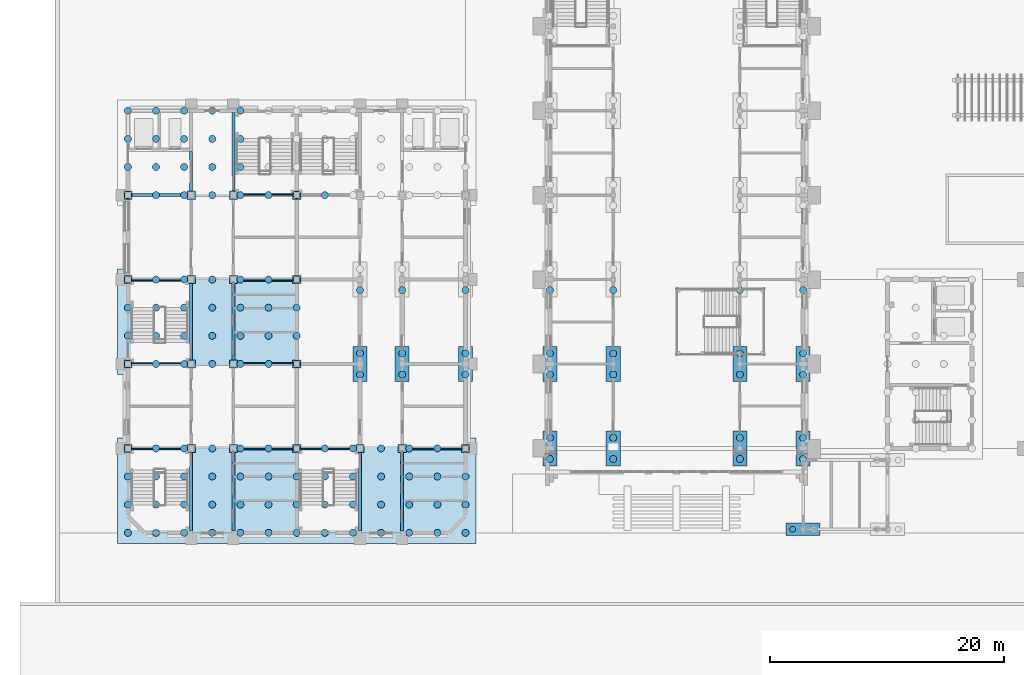
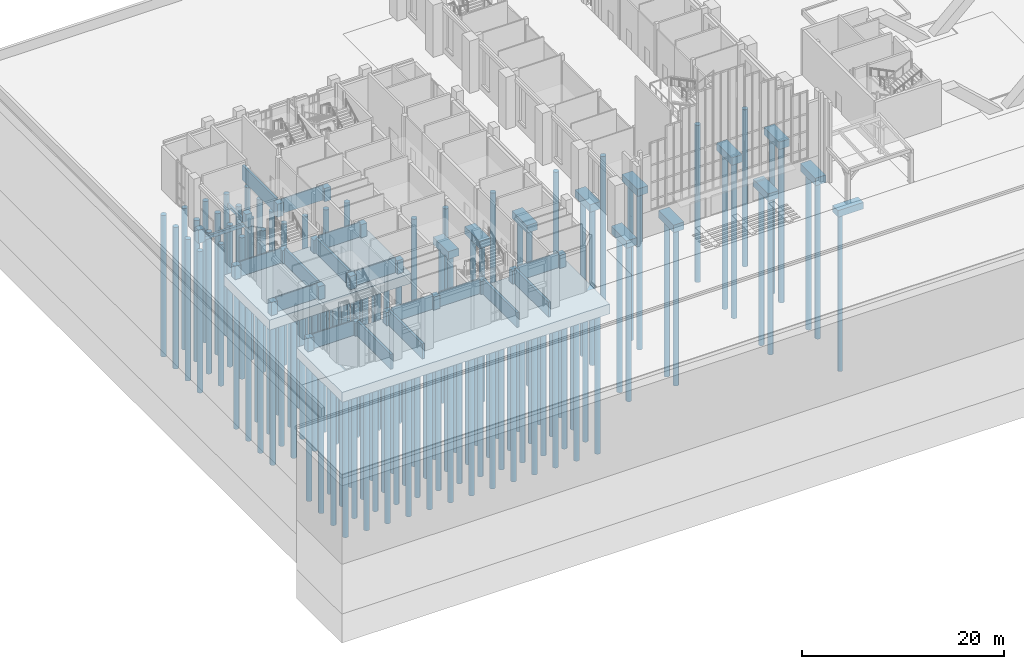
# One storey, part 1 of 84: 133 piles, 51 footings.
"""IFC4 building model written with IfcOpenShell, lengths in metres."""

from ifc_helpers import new_model, si_unit, direction, frame, origin, origin_2d, place, context, subcontext, project, spatial, polyline, rectangle, circle, outline, extrude, material, material_profile, profile_set, type_object, element, save


model = new_model("IFC4")

# Units and contexts
model_context = context("Model", 3, precision=1e-05, world=origin(), true_north=direction((0.0, 1.0)))
body_context = subcontext(model_context, "Body", "Model", "MODEL_VIEW")
ifc_project = project(units=[si_unit("LENGTHUNIT", "METRE"), si_unit("AREAUNIT", "SQUARE_METRE"), si_unit("VOLUMEUNIT", "CUBIC_METRE"), si_unit("PLANEANGLEUNIT", "RADIAN"), si_unit("MASSUNIT", "GRAM", prefix="KILO")], contexts=[model_context])

# Site, building, storey
site_placement = place(None, origin())
site = spatial("IfcSite", under=ifc_project, at=site_placement, CompositionType="ELEMENT")
building_placement = place(site_placement, origin())
building = spatial("IfcBuilding", under=site, at=building_placement, Name="Mazhai Court Health Centre", CompositionType="ELEMENT")
storey_placement = place(building_placement, origin())
storey = spatial("IfcBuildingStorey", under=building, at=storey_placement, Name="L00", CompositionType="ELEMENT", Elevation=0.0)

# Piles
ifc_material_1 = material(Name="Concrete M35", Category="concrete")
ifc_material_profile_1 = material_profile(ifc_material_1, circle(Radius=0.25, at=origin_2d()), Name="RC PILE D500")
ifc_profile_set_1 = profile_set([ifc_material_profile_1], Name="Concrete M35")
pile_type_1 = type_object("IfcPileType", Name="BORED PILE D500 M35", PredefinedType="BORED", material=ifc_profile_set_1)
pile_placement = place(storey_placement, frame((62.89990234375, 6.5, -0.89990234375), z_axis=(0.0, 0.0, -1.0), x_axis=(1.0, 0.0, 0.0)))
element("IfcPile", 1, at=pile_placement, inside=storey, type_object=pile_type_1, Name="pile-cap-AR-01-01", PredefinedType="BORED", context=body_context, shape_type="SweptSolid", body=[
    extrude(circle(Radius=0.25, at=origin_2d()), origin(), (0.0, 0.0, 1.0), 19.10009765625),
])
ifc_material_2 = material(Name="Concrete M35", Category="concrete")
ifc_material_profile_2 = material_profile(ifc_material_2, circle(Radius=0.300048828125, at=origin_2d()), Name="RC PILE D600")
ifc_profile_set_2 = profile_set([ifc_material_profile_2], Name="Concrete M35")
pile_type_2 = type_object("IfcPileType", Name="BORED PILE D600 M35", PredefinedType="BORED", material=ifc_profile_set_2)
for number, where, z_axis, x_axis, name in (
    (2, (6.199951171875, 6.199951171875, -2.89990234375), (0.0, 0.0, -1.0), (1.0, 0.0, 0.0), "pile-RAFT-1-01"),
    (3, (6.199951171875, 8.60009765625, -2.89990234375), (0.0, 0.0, -1.0), (1.0, 0.0, 0.0), "pile-RAFT-1-02"),
    (4, (6.199951171875, 11.0, -2.89990234375), (0.0, 0.0, -1.0), (1.0, 0.0, 0.0), "pile-RAFT-1-03"),
    (5, (6.199951171875, 13.39990234375, -2.89990234375), (0.0, 0.0, -1.0), (1.0, 0.0, 0.0), "pile-RAFT-1-04"),
    (6, (8.60009765625, 6.199951171875, -2.89990234375), (0.0, 0.0, -1.0), (1.0, 0.0, 0.0), "pile-RAFT-1-05"),
    (7, (8.60009765625, 8.60009765625, -2.89990234375), (0.0, 0.0, -1.0), (1.0, 0.0, 0.0), "pile-RAFT-1-06"),
    (8, (8.60009765625, 11.0, -2.89990234375), (0.0, 0.0, -1.0), (1.0, 0.0, 0.0), "pile-RAFT-1-07"),
    (9, (8.60009765625, 13.39990234375, -2.89990234375), (0.0, 0.0, -1.0), (1.0, 0.0, 0.0), "pile-RAFT-1-08"),
    (10, (11.0, 6.199951171875, -2.89990234375), (0.0, 0.0, -1.0), (1.0, 0.0, 0.0), "pile-RAFT-1-09"),
    (11, (11.0, 8.60009765625, -2.89990234375), (0.0, 0.0, -1.0), (1.0, 0.0, 0.0), "pile-RAFT-1-10"),
    (12, (11.0, 11.0, -2.89990234375), (0.0, 0.0, -1.0), (1.0, 0.0, 0.0), "pile-RAFT-1-11"),
    (13, (11.0, 13.39990234375, -2.89990234375), (0.0, 0.0, -1.0), (1.0, 0.0, 0.0), "pile-RAFT-1-12"),
    (14, (13.39990234375, 6.199951171875, -2.89990234375), (0.0, 0.0, -1.0), (1.0, 0.0, 0.0), "pile-RAFT-1-13"),
    (15, (13.39990234375, 8.60009765625, -2.89990234375), (0.0, 0.0, -1.0), (1.0, 0.0, 0.0), "pile-RAFT-1-14"),
    (16, (13.39990234375, 11.0, -2.89990234375), (0.0, 0.0, -1.0), (1.0, 0.0, 0.0), "pile-RAFT-1-15"),
    (17, (13.39990234375, 13.39990234375, -2.89990234375), (0.0, 0.0, -1.0), (1.0, 0.0, 0.0), "pile-RAFT-1-16"),
    (18, (15.800048828125, 6.199951171875, -2.89990234375), (0.0, 0.0, -1.0), (1.0, 0.0, 0.0), "pile-RAFT-1-17"),
    (19, (15.800048828125, 8.60009765625, -2.89990234375), (0.0, 0.0, -1.0), (1.0, 0.0, 0.0), "pile-RAFT-1-18"),
    (20, (15.800048828125, 11.0, -2.89990234375), (0.0, 0.0, -1.0), (1.0, 0.0, 0.0), "pile-RAFT-1-19"),
    (21, (15.800048828125, 13.39990234375, -2.89990234375), (0.0, 0.0, -1.0), (1.0, 0.0, 0.0), "pile-RAFT-1-20"),
    (22, (18.199951171875, 6.199951171875, -2.89990234375), (0.0, 0.0, -1.0), (1.0, 0.0, 0.0), "pile-RAFT-1-21"),
    (23, (18.199951171875, 8.60009765625, -2.89990234375), (0.0, 0.0, -1.0), (1.0, 0.0, 0.0), "pile-RAFT-1-22"),
    (24, (18.199951171875, 11.0, -2.89990234375), (0.0, 0.0, -1.0), (1.0, 0.0, 0.0), "pile-RAFT-1-23"),
    (25, (18.199951171875, 13.39990234375, -2.89990234375), (0.0, 0.0, -1.0), (1.0, 0.0, 0.0), "pile-RAFT-1-24"),
    (26, (20.60009765625, 6.199951171875, -2.89990234375), (0.0, 0.0, -1.0), (1.0, 0.0, 0.0), "pile-RAFT-1-25"),
    (27, (20.60009765625, 8.60009765625, -2.89990234375), (0.0, 0.0, -1.0), (1.0, 0.0, 0.0), "pile-RAFT-1-26"),
    (28, (20.60009765625, 11.0, -2.89990234375), (0.0, 0.0, -1.0), (1.0, 0.0, 0.0), "pile-RAFT-1-27"),
    (29, (20.60009765625, 13.39990234375, -2.89990234375), (0.0, 0.0, -1.0), (1.0, 0.0, 0.0), "pile-RAFT-1-28"),
    (30, (23.0, 6.199951171875, -2.89990234375), (0.0, 0.0, -1.0), (1.0, 0.0, 0.0), "pile-RAFT-1-29"),
    (31, (23.0, 8.60009765625, -2.89990234375), (0.0, 0.0, -1.0), (1.0, 0.0, 0.0), "pile-RAFT-1-30"),
    (32, (23.0, 11.0, -2.89990234375), (0.0, 0.0, -1.0), (1.0, 0.0, 0.0), "pile-RAFT-1-31"),
    (33, (23.0, 13.39990234375, -2.89990234375), (0.0, 0.0, -1.0), (1.0, 0.0, 0.0), "pile-RAFT-1-32"),
    (34, (25.39990234375, 6.199951171875, -2.89990234375), (0.0, 0.0, -1.0), (1.0, 0.0, 0.0), "pile-RAFT-1-33"),
    (35, (25.39990234375, 8.60009765625, -2.89990234375), (0.0, 0.0, -1.0), (1.0, 0.0, 0.0), "pile-RAFT-1-34"),
    (36, (25.39990234375, 11.0, -2.89990234375), (0.0, 0.0, -1.0), (1.0, 0.0, 0.0), "pile-RAFT-1-35"),
    (37, (25.39990234375, 13.39990234375, -2.89990234375), (0.0, 0.0, -1.0), (1.0, 0.0, 0.0), "pile-RAFT-1-36"),
    (38, (27.800048828125, 6.199951171875, -2.89990234375), (0.0, 0.0, -1.0), (1.0, 0.0, 0.0), "pile-RAFT-1-37"),
    (39, (27.800048828125, 8.60009765625, -2.89990234375), (0.0, 0.0, -1.0), (1.0, 0.0, 0.0), "pile-RAFT-1-38"),
    (40, (27.800048828125, 11.0, -2.89990234375), (0.0, 0.0, -1.0), (1.0, 0.0, 0.0), "pile-RAFT-1-39"),
    (41, (27.800048828125, 13.39990234375, -2.89990234375), (0.0, 0.0, -1.0), (1.0, 0.0, 0.0), "pile-RAFT-1-40"),
    (42, (30.199951171875, 6.199951171875, -2.89990234375), (0.0, 0.0, -1.0), (1.0, 0.0, 0.0), "pile-RAFT-1-41"),
    (43, (30.199951171875, 8.60009765625, -2.89990234375), (0.0, 0.0, -1.0), (1.0, 0.0, 0.0), "pile-RAFT-1-42"),
    (44, (30.199951171875, 11.0, -2.89990234375), (0.0, 0.0, -1.0), (1.0, 0.0, 0.0), "pile-RAFT-1-43"),
    (45, (30.199951171875, 13.39990234375, -2.89990234375), (0.0, 0.0, -1.0), (1.0, 0.0, 0.0), "pile-RAFT-1-44"),
    (46, (32.60009765625, 6.199951171875, -2.89990234375), (0.0, 0.0, -1.0), (1.0, 0.0, 0.0), "pile-RAFT-1-45"),
    (47, (32.60009765625, 8.60009765625, -2.89990234375), (0.0, 0.0, -1.0), (1.0, 0.0, 0.0), "pile-RAFT-1-46"),
    (48, (32.60009765625, 11.0, -2.89990234375), (0.0, 0.0, -1.0), (1.0, 0.0, 0.0), "pile-RAFT-1-47"),
    (49, (32.60009765625, 13.39990234375, -2.89990234375), (0.0, 0.0, -1.0), (1.0, 0.0, 0.0), "pile-RAFT-1-48"),
    (50, (35.0, 6.199951171875, -2.89990234375), (0.0, 0.0, -1.0), (1.0, 0.0, 0.0), "pile-RAFT-1-49"),
    (51, (35.0, 8.60009765625, -2.89990234375), (0.0, 0.0, -1.0), (1.0, 0.0, 0.0), "pile-RAFT-1-50"),
    (52, (35.0, 11.0, -2.89990234375), (0.0, 0.0, -1.0), (1.0, 0.0, 0.0), "pile-RAFT-1-51"),
    (53, (35.0, 13.39990234375, -2.89990234375), (0.0, 0.0, -1.0), (1.0, 0.0, 0.0), "pile-RAFT-1-52"),
    (54, (6.199951171875, 20.60009765625, -2.89990234375), (0.0, 0.0, -1.0), (1.0, 0.0, 0.0), "pile-RAFT-2-01"),
    (55, (6.199951171875, 23.0, -2.89990234375), (0.0, 0.0, -1.0), (1.0, 0.0, 0.0), "pile-RAFT-2-02"),
    (56, (6.199951171875, 25.39990234375, -2.89990234375), (0.0, 0.0, -1.0), (1.0, 0.0, 0.0), "pile-RAFT-2-03"),
    (57, (6.199951171875, 27.800048828125, -2.89990234375), (0.0, 0.0, -1.0), (1.0, 0.0, 0.0), "pile-RAFT-2-04"),
    (58, (8.60009765625, 20.60009765625, -2.89990234375), (0.0, 0.0, -1.0), (1.0, 0.0, 0.0), "pile-RAFT-2-05"),
    (59, (8.60009765625, 23.0, -2.89990234375), (0.0, 0.0, -1.0), (1.0, 0.0, 0.0), "pile-RAFT-2-06"),
    (60, (8.60009765625, 25.39990234375, -2.89990234375), (0.0, 0.0, -1.0), (1.0, 0.0, 0.0), "pile-RAFT-2-07"),
    (61, (8.60009765625, 27.800048828125, -2.89990234375), (0.0, 0.0, -1.0), (1.0, 0.0, 0.0), "pile-RAFT-2-08"),
    (62, (11.0, 20.60009765625, -2.89990234375), (0.0, 0.0, -1.0), (1.0, 0.0, 0.0), "pile-RAFT-2-09"),
    (63, (11.0, 23.0, -2.89990234375), (0.0, 0.0, -1.0), (1.0, 0.0, 0.0), "pile-RAFT-2-10"),
    (64, (11.0, 25.39990234375, -2.89990234375), (0.0, 0.0, -1.0), (1.0, 0.0, 0.0), "pile-RAFT-2-11"),
    (65, (11.0, 27.800048828125, -2.89990234375), (0.0, 0.0, -1.0), (1.0, 0.0, 0.0), "pile-RAFT-2-12"),
    (66, (13.39990234375, 20.60009765625, -2.89990234375), (0.0, 0.0, -1.0), (1.0, 0.0, 0.0), "pile-RAFT-2-13"),
    (67, (13.39990234375, 23.0, -2.89990234375), (0.0, 0.0, -1.0), (1.0, 0.0, 0.0), "pile-RAFT-2-14"),
    (68, (13.39990234375, 25.39990234375, -2.89990234375), (0.0, 0.0, -1.0), (1.0, 0.0, 0.0), "pile-RAFT-2-15"),
    (69, (13.39990234375, 27.800048828125, -2.89990234375), (0.0, 0.0, -1.0), (1.0, 0.0, 0.0), "pile-RAFT-2-16"),
    (70, (15.800048828125, 20.60009765625, -2.89990234375), (0.0, 0.0, -1.0), (1.0, 0.0, 0.0), "pile-RAFT-2-17"),
    (71, (15.800048828125, 23.0, -2.89990234375), (0.0, 0.0, -1.0), (1.0, 0.0, 0.0), "pile-RAFT-2-18"),
    (72, (15.800048828125, 25.39990234375, -2.89990234375), (0.0, 0.0, -1.0), (1.0, 0.0, 0.0), "pile-RAFT-2-19"),
    (73, (15.800048828125, 27.800048828125, -2.89990234375), (0.0, 0.0, -1.0), (1.0, 0.0, 0.0), "pile-RAFT-2-20"),
    (74, (18.199951171875, 20.60009765625, -2.89990234375), (0.0, 0.0, -1.0), (1.0, 0.0, 0.0), "pile-RAFT-2-21"),
    (75, (18.199951171875, 23.0, -2.89990234375), (0.0, 0.0, -1.0), (1.0, 0.0, 0.0), "pile-RAFT-2-22"),
    (76, (18.199951171875, 25.39990234375, -2.89990234375), (0.0, 0.0, -1.0), (1.0, 0.0, 0.0), "pile-RAFT-2-23"),
    (77, (18.199951171875, 27.800048828125, -2.89990234375), (0.0, 0.0, -1.0), (1.0, 0.0, 0.0), "pile-RAFT-2-24"),
    (78, (20.60009765625, 20.60009765625, -2.89990234375), (0.0, 0.0, -1.0), (1.0, 0.0, 0.0), "pile-RAFT-2-25"),
    (79, (20.60009765625, 23.0, -2.89990234375), (0.0, 0.0, -1.0), (1.0, 0.0, 0.0), "pile-RAFT-2-26"),
    (80, (20.60009765625, 25.39990234375, -2.89990234375), (0.0, 0.0, -1.0), (1.0, 0.0, 0.0), "pile-RAFT-2-27"),
    (81, (20.60009765625, 27.800048828125, -2.89990234375), (0.0, 0.0, -1.0), (1.0, 0.0, 0.0), "pile-RAFT-2-28"),
    (82, (6.199951171875, 35.0, -2.89990234375), (0.0, 0.0, -1.0), (1.0, 0.0, 0.0), "pile-RAFT-3-01"),
    (83, (6.199951171875, 37.39990234375, -2.89990234375), (0.0, 0.0, -1.0), (1.0, 0.0, 0.0), "pile-RAFT-3-02"),
    (84, (6.199951171875, 39.800048828125, -2.89990234375), (0.0, 0.0, -1.0), (1.0, 0.0, 0.0), "pile-RAFT-3-03"),
    (85, (6.199951171875, 42.199951171875, -2.89990234375), (0.0, 0.0, -1.0), (1.0, 0.0, 0.0), "pile-RAFT-3-04"),
    (86, (8.60009765625, 35.0, -2.89990234375), (0.0, 0.0, -1.0), (1.0, 0.0, 0.0), "pile-RAFT-3-05"),
    (87, (8.60009765625, 37.39990234375, -2.89990234375), (0.0, 0.0, -1.0), (1.0, 0.0, 0.0), "pile-RAFT-3-06"),
    (88, (8.60009765625, 39.800048828125, -2.89990234375), (0.0, 0.0, -1.0), (1.0, 0.0, 0.0), "pile-RAFT-3-07"),
    (89, (8.60009765625, 42.199951171875, -2.89990234375), (0.0, 0.0, -1.0), (1.0, 0.0, 0.0), "pile-RAFT-3-08"),
    (90, (11.0, 35.0, -2.89990234375), (0.0, 0.0, -1.0), (1.0, 0.0, 0.0), "pile-RAFT-3-09"),
    (91, (11.0, 37.39990234375, -2.89990234375), (0.0, 0.0, -1.0), (1.0, 0.0, 0.0), "pile-RAFT-3-10"),
    (92, (11.0, 39.800048828125, -2.89990234375), (0.0, 0.0, -1.0), (1.0, 0.0, 0.0), "pile-RAFT-3-11"),
    (93, (11.0, 42.199951171875, -2.89990234375), (0.0, 0.0, -1.0), (1.0, 0.0, 0.0), "pile-RAFT-3-12"),
    (94, (13.39990234375, 35.0, -2.89990234375), (0.0, 0.0, -1.0), (1.0, 0.0, 0.0), "pile-RAFT-3-13"),
    (95, (13.39990234375, 37.39990234375, -2.89990234375), (0.0, 0.0, -1.0), (1.0, 0.0, 0.0), "pile-RAFT-3-14"),
    (96, (13.39990234375, 39.800048828125, -2.89990234375), (0.0, 0.0, -1.0), (1.0, 0.0, 0.0), "pile-RAFT-3-15"),
    (97, (13.39990234375, 42.199951171875, -2.89990234375), (0.0, 0.0, -1.0), (1.0, 0.0, 0.0), "pile-RAFT-3-16"),
    (98, (15.800048828125, 35.0, -2.89990234375), (0.0, 0.0, -1.0), (1.0, 0.0, 0.0), "pile-RAFT-3-17"),
    (99, (15.800048828125, 37.39990234375, -2.89990234375), (0.0, 0.0, -1.0), (1.0, 0.0, 0.0), "pile-RAFT-3-18"),
    (100, (15.800048828125, 39.800048828125, -2.89990234375), (0.0, 0.0, -1.0), (1.0, 0.0, 0.0), "pile-RAFT-3-19"),
    (101, (15.800048828125, 42.199951171875, -2.89990234375), (0.0, 0.0, -1.0), (1.0, 0.0, 0.0), "pile-RAFT-3-20"),
    (102, (18.199951171875, 35.0, -2.89990234375), (0.0, 0.0, -1.0), (1.0, 0.0, 0.0), "pile-RAFT-3-21"),
    (103, (20.60009765625, 35.0, -2.89990234375), (0.0, 0.0, -1.0), (1.0, 0.0, 0.0), "pile-RAFT-3-25"),
    (104, (23.0, 35.0, -2.89990234375), (0.0, 0.0, -1.0), (1.0, 0.0, 0.0), "pile-RAFT-3-29"),
):
    element("IfcPile", number, at=place(storey_placement, frame(where, z_axis=z_axis, x_axis=x_axis)), inside=storey, type_object=pile_type_2, Name=name, PredefinedType="BORED", context=body_context, shape_type="SweptSolid", body=[
        extrude(circle(Radius=0.300048828125, at=origin_2d()), origin(), (0.0, 0.0, 1.0), 17.10009765625),
    ])
for number, where, z_axis, x_axis, name in (
    (105, (26.0, 19.699951171875, -1.0), (0.0, 0.0, -1.0), (1.0, 0.0, 0.0), "pile-cap-V5-L2-1-01"),
    (106, (26.0, 21.5, -1.0), (0.0, 0.0, -1.0), (1.0, 0.0, 0.0), "pile-cap-V5-L2-1-02"),
    (107, (26.0, 26.89990234375, -1.0), (0.0, 0.0, -1.0), (1.0, 0.0, 0.0), "pile-cap-V5-L3-1-01"),
    (108, (29.60009765625, 19.699951171875, -1.0), (0.0, 0.0, -1.0), (1.0, 0.0, 0.0), "pile-cap-V5-L2-2-01"),
    (109, (29.60009765625, 21.5, -1.0), (0.0, 0.0, -1.0), (1.0, 0.0, 0.0), "pile-cap-V5-L2-2-02"),
    (110, (29.60009765625, 26.89990234375, -1.0), (0.0, 0.0, -1.0), (1.0, 0.0, 0.0), "pile-cap-V5-L3-2-01"),
    (111, (35.0, 19.699951171875, -1.0), (0.0, 0.0, -1.0), (1.0, 0.0, 0.0), "pile-cap-V5-L2-3-01"),
    (112, (35.0, 21.5, -1.0), (0.0, 0.0, -1.0), (1.0, 0.0, 0.0), "pile-cap-V5-L2-3-02"),
    (113, (35.0, 26.89990234375, -1.0), (0.0, 0.0, -1.0), (1.0, 0.0, 0.0), "pile-cap-V5-L3-3-01"),
    (114, (42.199951171875, 12.5, -1.0), (0.0, 0.0, -1.0), (1.0, 0.0, 0.0), "pile-cap-V1-1-01-01"),
    (115, (42.199951171875, 14.300048828125, -1.0), (0.0, 0.0, -1.0), (1.0, 0.0, 0.0), "pile-cap-V1-1-01-02"),
    (116, (42.199951171875, 19.699951171875, -1.0), (0.0, 0.0, -1.0), (1.0, 0.0, 0.0), "pile-cap-V1-1-02-01"),
    (117, (42.199951171875, 21.5, -1.0), (0.0, 0.0, -1.0), (1.0, 0.0, 0.0), "pile-cap-V1-1-02-02"),
    (118, (42.199951171875, 26.89990234375, -1.0), (0.0, 0.0, -1.0), (1.0, 0.0, 0.0), "pile-cap-V1-1-03-01"),
    (119, (47.60009765625, 12.5, -1.0), (0.0, 0.0, -1.0), (1.0, 0.0, 0.0), "pile-cap-V1-2-01-01"),
    (120, (47.60009765625, 14.300048828125, -1.0), (0.0, 0.0, -1.0), (1.0, 0.0, 0.0), "pile-cap-V1-2-01-02"),
    (121, (47.60009765625, 19.699951171875, -1.0), (0.0, 0.0, -1.0), (1.0, 0.0, 0.0), "pile-cap-V1-2-02-01"),
    (122, (47.60009765625, 21.5, -1.0), (0.0, 0.0, -1.0), (1.0, 0.0, 0.0), "pile-cap-V1-2-02-02"),
    (123, (47.60009765625, 26.89990234375, -1.0), (0.0, 0.0, -1.0), (1.0, 0.0, 0.0), "pile-cap-V1-2-03-01"),
    (124, (58.39990234375, 12.5, -1.0), (0.0, 0.0, -1.0), (1.0, 0.0, 0.0), "pile-cap-V1-3-01-01"),
    (125, (58.39990234375, 14.300048828125, -1.0), (0.0, 0.0, -1.0), (1.0, 0.0, 0.0), "pile-cap-V1-3-01-02"),
    (126, (58.39990234375, 19.699951171875, -1.0), (0.0, 0.0, -1.0), (1.0, 0.0, 0.0), "pile-cap-V1-3-02-01"),
    (127, (58.39990234375, 21.5, -1.0), (0.0, 0.0, -1.0), (1.0, 0.0, 0.0), "pile-cap-V1-3-02-02"),
    (128, (58.39990234375, 26.89990234375, -1.0), (0.0, 0.0, -1.0), (1.0, 0.0, 0.0), "pile-cap-V1-3-03-01"),
    (129, (63.800048828125, 12.5, -1.0), (0.0, 0.0, -1.0), (1.0, 0.0, 0.0), "pile-cap-V1-4-01-01"),
    (130, (63.800048828125, 14.300048828125, -1.0), (0.0, 0.0, -1.0), (1.0, 0.0, 0.0), "pile-cap-V1-4-01-02"),
    (131, (63.800048828125, 19.699951171875, -1.0), (0.0, 0.0, -1.0), (1.0, 0.0, 0.0), "pile-cap-V1-4-02-01"),
    (132, (63.800048828125, 21.5, -1.0), (0.0, 0.0, -1.0), (1.0, 0.0, 0.0), "pile-cap-V1-4-02-02"),
    (133, (63.800048828125, 26.89990234375, -1.0), (0.0, 0.0, -1.0), (1.0, 0.0, 0.0), "pile-cap-V1-4-03-01"),
):
    element("IfcPile", number, at=place(storey_placement, frame(where, z_axis=z_axis, x_axis=x_axis)), inside=storey, type_object=pile_type_2, Name=name, PredefinedType="BORED", context=body_context, shape_type="SweptSolid", body=[
        extrude(circle(Radius=0.300048828125, at=origin_2d()), origin(), (0.0, 0.0, 1.0), 19.0),
    ])

# Footings
ifc_material_3 = material(Name="Concrete M35", Category="concrete")
footing_type_1 = type_object("IfcFootingType", Name="CORE RAFT 16200x9000x1200 M35", PredefinedType="PILE_CAP", material=ifc_material_3)
footing_1_placement = place(storey_placement, frame((13.39990234375, 24.199951171875, -3.0), z_axis=(0.0, 0.0, 1.0), x_axis=(1.0, 0.0, 0.0)))
element("IfcFooting", 134, at=footing_1_placement, inside=storey, type_object=footing_type_1, Name="RAFT-2", PredefinedType="PILE_CAP", context=body_context, shape_type="SweptSolid", body=[
    extrude(rectangle(XDim=16.199951171875, YDim=9.0, at=origin_2d()), origin(), (0.0, 0.0, 1.0), 1.199951171875),
])
ifc_material_4 = material(Name="Concrete M35", Category="concrete")
footing_type_2 = type_object("IfcFootingType", Name="CORE RAFT 30600x9000x1200 M35", PredefinedType="PILE_CAP", material=ifc_material_4)
footing_2_placement = place(storey_placement, frame((20.60009765625, 9.800048828125, -3.0), z_axis=(0.0, 0.0, 1.0), x_axis=(1.0, 0.0, 0.0)))
element("IfcFooting", 135, at=footing_2_placement, inside=storey, type_object=footing_type_2, Name="RAFT-1", PredefinedType="PILE_CAP", context=body_context, shape_type="SweptSolid", body=[
    extrude(rectangle(XDim=30.60009765625, YDim=9.0, at=origin_2d()), origin(), (0.0, 0.0, 1.0), 1.199951171875),
])
ifc_material_5 = material(Name="Concrete M35", Category="concrete")
footing_type_3 = type_object("IfcFootingType", Name="PILE CAP 2P 2900x1100x800 M35", PredefinedType="PILE_CAP", material=ifc_material_5)
footing_3_placement = place(storey_placement, frame((63.800048828125, 6.5, -1.0), z_axis=(0.0, 0.0, 1.0), x_axis=(1.0, 0.0, 0.0)))
element("IfcFooting", 136, at=footing_3_placement, inside=storey, type_object=footing_type_3, Name="cap-AR-01", PredefinedType="PILE_CAP", context=body_context, shape_type="SweptSolid", body=[
    extrude(rectangle(XDim=2.89990234375, YDim=1.10009765625, at=origin_2d()), origin(), (0.0, 0.0, 1.0), 0.800048828125),
])
ifc_material_6 = material(Name="Concrete M35", Category="concrete")
footing_type_4 = type_object("IfcFootingType", Name="PILE CAP 2P 3000x1200x900 M35", PredefinedType="PILE_CAP", material=ifc_material_6)
for number, where, z_axis, x_axis, name in (
    (137, (26.0, 20.60009765625, -1.099853515625), (0.0, 0.0, 1.0), (1.0, 0.0, 0.0), "cap-V5-L2-1"),
    (138, (29.60009765625, 20.60009765625, -1.099853515625), (0.0, 0.0, 1.0), (1.0, 0.0, 0.0), "cap-V5-L2-2"),
    (139, (35.0, 20.60009765625, -1.099853515625), (0.0, 0.0, 1.0), (1.0, 0.0, 0.0), "cap-V5-L2-3"),
    (140, (42.199951171875, 13.39990234375, -1.099853515625), (0.0, 0.0, 1.0), (1.0, 0.0, 0.0), "cap-V1-1-01"),
    (141, (42.199951171875, 20.60009765625, -1.099853515625), (0.0, 0.0, 1.0), (1.0, 0.0, 0.0), "cap-V1-1-02"),
    (142, (47.60009765625, 13.39990234375, -1.099853515625), (0.0, 0.0, 1.0), (1.0, 0.0, 0.0), "cap-V1-2-01"),
    (143, (47.60009765625, 20.60009765625, -1.099853515625), (0.0, 0.0, 1.0), (1.0, 0.0, 0.0), "cap-V1-2-02"),
    (144, (58.39990234375, 13.39990234375, -1.099853515625), (0.0, 0.0, 1.0), (1.0, 0.0, 0.0), "cap-V1-3-01"),
    (145, (58.39990234375, 20.60009765625, -1.099853515625), (0.0, 0.0, 1.0), (1.0, 0.0, 0.0), "cap-V1-3-02"),
    (146, (63.800048828125, 13.39990234375, -1.099853515625), (0.0, 0.0, 1.0), (1.0, 0.0, 0.0), "cap-V1-4-01"),
    (147, (63.800048828125, 20.60009765625, -1.099853515625), (0.0, 0.0, 1.0), (1.0, 0.0, 0.0), "cap-V1-4-02"),
):
    element("IfcFooting", number, at=place(storey_placement, frame(where, z_axis=z_axis, x_axis=x_axis)), inside=storey, type_object=footing_type_4, Name=name, PredefinedType="PILE_CAP", context=body_context, shape_type="SweptSolid", body=[
        extrude(rectangle(XDim=1.199951171875, YDim=3.0, at=origin_2d()), origin(), (0.0, 0.0, 1.0), 0.89990234375),
    ])
ifc_material_7 = material(Name="Concrete M35", Category="concrete")
footing_type_5 = type_object("IfcFootingType", Name="RC PEDESTAL 700x700x1600 M35", PredefinedType="PAD_FOOTING", material=ifc_material_7)
for number, where, z_axis, x_axis, name in (
    (148, (6.199951171875, 13.39990234375, -1.800048828125), (0.0, 0.0, 1.0), (1.0, 0.0, 0.0), "pedestal-V2-6.2-13.4"),
    (149, (6.199951171875, 20.60009765625, -1.800048828125), (0.0, 0.0, 1.0), (1.0, 0.0, 0.0), "pedestal-V2-6.2-20.6"),
    (150, (6.199951171875, 27.800048828125, -1.800048828125), (0.0, 0.0, 1.0), (1.0, 0.0, 0.0), "pedestal-V2-6.2-27.8"),
    (151, (6.199951171875, 35.0, -1.800048828125), (0.0, 0.0, 1.0), (1.0, 0.0, 0.0), "pedestal-V2-6.2-35"),
    (152, (11.60009765625, 13.39990234375, -1.800048828125), (0.0, 0.0, 1.0), (1.0, 0.0, 0.0), "pedestal-V2-11.6-13.4"),
    (153, (11.60009765625, 20.60009765625, -1.800048828125), (0.0, 0.0, 1.0), (1.0, 0.0, 0.0), "pedestal-V2-11.6-20.6"),
    (154, (11.60009765625, 27.800048828125, -1.800048828125), (0.0, 0.0, 1.0), (1.0, 0.0, 0.0), "pedestal-V2-11.6-27.8"),
    (155, (11.60009765625, 35.0, -1.800048828125), (0.0, 0.0, 1.0), (1.0, 0.0, 0.0), "pedestal-V2-11.6-35"),
    (156, (15.199951171875, 13.39990234375, -1.800048828125), (0.0, 0.0, 1.0), (1.0, 0.0, 0.0), "pedestal-V2-15.2-13.4"),
    (157, (15.199951171875, 20.60009765625, -1.800048828125), (0.0, 0.0, 1.0), (1.0, 0.0, 0.0), "pedestal-V2-15.2-20.6"),
    (158, (15.199951171875, 27.800048828125, -1.800048828125), (0.0, 0.0, 1.0), (1.0, 0.0, 0.0), "pedestal-V2-15.2-27.8"),
    (159, (15.199951171875, 35.0, -1.800048828125), (0.0, 0.0, 1.0), (1.0, 0.0, 0.0), "pedestal-V2-15.2-35"),
    (160, (20.60009765625, 13.39990234375, -1.800048828125), (0.0, 0.0, 1.0), (1.0, 0.0, 0.0), "pedestal-V2-20.6-13.4"),
    (161, (20.60009765625, 20.60009765625, -1.800048828125), (0.0, 0.0, 1.0), (1.0, 0.0, 0.0), "pedestal-V2-20.6-20.6"),
    (162, (20.60009765625, 27.800048828125, -1.800048828125), (0.0, 0.0, 1.0), (1.0, 0.0, 0.0), "pedestal-V2-20.6-27.8"),
    (163, (20.60009765625, 35.0, -1.800048828125), (0.0, 0.0, 1.0), (1.0, 0.0, 0.0), "pedestal-V2-20.6-35"),
    (164, (26.0, 13.39990234375, -1.800048828125), (0.0, 0.0, 1.0), (1.0, 0.0, 0.0), "pedestal-V5-26-13.4"),
    (165, (29.60009765625, 13.39990234375, -1.800048828125), (0.0, 0.0, 1.0), (1.0, 0.0, 0.0), "pedestal-V5-29.6-13.4"),
    (166, (35.0, 13.39990234375, -1.800048828125), (0.0, 0.0, 1.0), (1.0, 0.0, 0.0), "pedestal-V5-35-13.4"),
):
    element("IfcFooting", number, at=place(storey_placement, frame(where, z_axis=z_axis, x_axis=x_axis)), inside=storey, type_object=footing_type_5, Name=name, PredefinedType="PAD_FOOTING", context=body_context, shape_type="SweptSolid", body=[
        extrude(rectangle(XDim=0.699951171875, YDim=0.699951171875, at=origin_2d()), origin(), (0.0, 0.0, 1.0), 1.60009765625),
    ])
ifc_material_8 = material(Name="Concrete M35", Category="concrete")
footing_type_6 = type_object("IfcFootingType", Name="RC WALL FOOTING 250x1800 M35", PredefinedType="STRIP_FOOTING", material=ifc_material_8)
footing_4_placement = place(storey_placement, frame((0.0, 0.0, -1.800048828125)))
element("IfcFooting", 167, at=footing_4_placement, inside=storey, type_object=footing_type_6, Name="core-C1-w-other-corr-L00-footing", PredefinedType="STRIP_FOOTING", context=body_context, shape_type="SweptSolid", body=[
    extrude(outline(polyline([(15.074951171875, 13.050048828125), (15.324951171875, 13.050048828125), (15.324951171875, 6.364990234375), (15.074951171875, 6.364990234375), (15.074951171875, 13.050048828125)])), origin(), (0.0, 0.0, 1.0), 1.800048828125),
])
footing_5_placement = place(storey_placement, frame((0.0, 0.0, -1.800048828125)))
element("IfcFooting", 168, at=footing_5_placement, inside=storey, type_object=footing_type_6, Name="core-C1-w-other-line0-L00-footing", PredefinedType="STRIP_FOOTING", context=body_context, shape_type="SweptSolid", body=[
    extrude(outline(polyline([(15.550048828125, 13.27490234375), (15.550048828125, 13.39990234375), (20.25, 13.39990234375), (20.25, 13.27490234375), (15.550048828125, 13.27490234375)])), origin(), (0.0, 0.0, 1.0), 1.800048828125),
])
footing_6_placement = place(storey_placement, frame((0.0, 0.0, -1.800048828125)))
element("IfcFooting", 169, at=footing_6_placement, inside=storey, type_object=footing_type_6, Name="core-C1-w-stair-corr-L00-footing", PredefinedType="STRIP_FOOTING", context=body_context, shape_type="SweptSolid", body=[
    extrude(outline(polyline([(11.47509765625, 13.050048828125), (11.72509765625, 13.050048828125), (11.72509765625, 6.364990234375), (11.47509765625, 6.364990234375), (11.47509765625, 13.050048828125)])), origin(), (0.0, 0.0, 1.0), 1.800048828125),
])
footing_7_placement = place(storey_placement, frame((0.0, 0.0, -1.800048828125)))
element("IfcFooting", 170, at=footing_7_placement, inside=storey, type_object=footing_type_6, Name="core-C1-w-stair-line0-L00-footing", PredefinedType="STRIP_FOOTING", context=body_context, shape_type="SweptSolid", body=[
    extrude(outline(polyline([(6.550048828125, 13.27490234375), (6.550048828125, 13.39990234375), (11.25, 13.39990234375), (11.25, 13.27490234375), (6.550048828125, 13.27490234375)])), origin(), (0.0, 0.0, 1.0), 1.800048828125),
])
footing_8_placement = place(storey_placement, frame((0.0, 0.0, -1.800048828125)))
element("IfcFooting", 171, at=footing_8_placement, inside=storey, type_object=footing_type_6, Name="core-C2-w-other-corr-L00-footing", PredefinedType="STRIP_FOOTING", context=body_context, shape_type="SweptSolid", body=[
    extrude(outline(polyline([(15.074951171875, 27.449951171875), (15.324951171875, 27.449951171875), (15.324951171875, 20.949951171875), (15.074951171875, 20.949951171875), (15.074951171875, 27.449951171875)])), origin(), (0.0, 0.0, 1.0), 1.800048828125),
])
footing_9_placement = place(storey_placement, frame((0.0, 0.0, -1.800048828125)))
element("IfcFooting", 172, at=footing_9_placement, inside=storey, type_object=footing_type_6, Name="core-C2-w-other-line0-L00-footing", PredefinedType="STRIP_FOOTING", context=body_context, shape_type="SweptSolid", body=[
    extrude(outline(polyline([(20.25, 20.72509765625), (20.25, 20.60009765625), (15.550048828125, 20.60009765625), (15.550048828125, 20.72509765625), (20.25, 20.72509765625)])), origin(), (0.0, 0.0, 1.0), 1.800048828125),
])
footing_10_placement = place(storey_placement, frame((0.0, 0.0, -1.800048828125)))
element("IfcFooting", 173, at=footing_10_placement, inside=storey, type_object=footing_type_6, Name="core-C2-w-other-line1-L00-footing", PredefinedType="STRIP_FOOTING", context=body_context, shape_type="SweptSolid", body=[
    extrude(outline(polyline([(15.550048828125, 27.675048828125), (15.550048828125, 27.800048828125), (20.25, 27.800048828125), (20.25, 27.675048828125), (15.550048828125, 27.675048828125)])), origin(), (0.0, 0.0, 1.0), 1.800048828125),
])
footing_11_placement = place(storey_placement, frame((0.0, 0.0, -1.800048828125)))
element("IfcFooting", 174, at=footing_11_placement, inside=storey, type_object=footing_type_6, Name="core-C2-w-stair-corr-L00-footing", PredefinedType="STRIP_FOOTING", context=body_context, shape_type="SweptSolid", body=[
    extrude(outline(polyline([(11.47509765625, 27.449951171875), (11.72509765625, 27.449951171875), (11.72509765625, 20.949951171875), (11.47509765625, 20.949951171875), (11.47509765625, 27.449951171875)])), origin(), (0.0, 0.0, 1.0), 1.800048828125),
])
footing_12_placement = place(storey_placement, frame((0.0, 0.0, -1.800048828125)))
element("IfcFooting", 175, at=footing_12_placement, inside=storey, type_object=footing_type_6, Name="core-C2-w-stair-line0-L00-footing", PredefinedType="STRIP_FOOTING", context=body_context, shape_type="SweptSolid", body=[
    extrude(outline(polyline([(11.25, 20.72509765625), (11.25, 20.60009765625), (6.550048828125, 20.60009765625), (6.550048828125, 20.72509765625), (11.25, 20.72509765625)])), origin(), (0.0, 0.0, 1.0), 1.800048828125),
])
footing_13_placement = place(storey_placement, frame((0.0, 0.0, -1.800048828125)))
element("IfcFooting", 176, at=footing_13_placement, inside=storey, type_object=footing_type_6, Name="core-C2-w-stair-line1-L00-footing", PredefinedType="STRIP_FOOTING", context=body_context, shape_type="SweptSolid", body=[
    extrude(outline(polyline([(6.550048828125, 27.675048828125), (6.550048828125, 27.800048828125), (11.25, 27.800048828125), (11.25, 27.675048828125), (6.550048828125, 27.675048828125)])), origin(), (0.0, 0.0, 1.0), 1.800048828125),
])
footing_14_placement = place(storey_placement, frame((0.0, 0.0, -1.800048828125)))
element("IfcFooting", 177, at=footing_14_placement, inside=storey, type_object=footing_type_6, Name="core-C3-w-stair-corr-L00-footing", PredefinedType="STRIP_FOOTING", context=body_context, shape_type="SweptSolid", body=[
    extrude(outline(polyline([(15.074951171875, 42.034912109375), (15.324951171875, 42.034912109375), (15.324951171875, 35.35009765625), (15.074951171875, 35.35009765625), (15.074951171875, 42.034912109375)])), origin(), (0.0, 0.0, 1.0), 1.800048828125),
])
footing_15_placement = place(storey_placement, frame((0.0, 0.0, -1.800048828125)))
element("IfcFooting", 178, at=footing_15_placement, inside=storey, type_object=footing_type_6, Name="core-C3-w-stair-line0-L00-footing", PredefinedType="STRIP_FOOTING", context=body_context, shape_type="SweptSolid", body=[
    extrude(outline(polyline([(20.25, 35.125), (20.25, 35.0), (15.550048828125, 35.0), (15.550048828125, 35.125), (20.25, 35.125)])), origin(), (0.0, 0.0, 1.0), 1.800048828125),
])
footing_16_placement = place(storey_placement, frame((0.0, 0.0, -1.800048828125)))
element("IfcFooting", 179, at=footing_16_placement, inside=storey, type_object=footing_type_6, Name="core-C4-w-other-corr-L00-footing", PredefinedType="STRIP_FOOTING", context=body_context, shape_type="SweptSolid", body=[
    extrude(outline(polyline([(29.47509765625, 13.050048828125), (29.72509765625, 13.050048828125), (29.72509765625, 6.364990234375), (29.47509765625, 6.364990234375), (29.47509765625, 13.050048828125)])), origin(), (0.0, 0.0, 1.0), 1.800048828125),
])
footing_17_placement = place(storey_placement, frame((0.0, 0.0, -1.800048828125)))
element("IfcFooting", 180, at=footing_17_placement, inside=storey, type_object=footing_type_6, Name="core-C4-w-other-line0-L00-footing", PredefinedType="STRIP_FOOTING", context=body_context, shape_type="SweptSolid", body=[
    extrude(outline(polyline([(29.949951171875, 13.27490234375), (29.949951171875, 13.39990234375), (34.64990234375, 13.39990234375), (34.64990234375, 13.27490234375), (29.949951171875, 13.27490234375)])), origin(), (0.0, 0.0, 1.0), 1.800048828125),
])
footing_18_placement = place(storey_placement, frame((0.0, 0.0, -1.800048828125)))
element("IfcFooting", 181, at=footing_18_placement, inside=storey, type_object=footing_type_6, Name="core-C4-w-stair-corr-L00-footing", PredefinedType="STRIP_FOOTING", context=body_context, shape_type="SweptSolid", body=[
    extrude(outline(polyline([(25.875, 13.050048828125), (26.125, 13.050048828125), (26.125, 6.364990234375), (25.875, 6.364990234375), (25.875, 13.050048828125)])), origin(), (0.0, 0.0, 1.0), 1.800048828125),
])
footing_19_placement = place(storey_placement, frame((0.0, 0.0, -1.800048828125)))
element("IfcFooting", 182, at=footing_19_placement, inside=storey, type_object=footing_type_6, Name="core-C4-w-stair-line0-L00-footing", PredefinedType="STRIP_FOOTING", context=body_context, shape_type="SweptSolid", body=[
    extrude(outline(polyline([(20.949951171875, 13.27490234375), (20.949951171875, 13.39990234375), (25.64990234375, 13.39990234375), (25.64990234375, 13.27490234375), (20.949951171875, 13.27490234375)])), origin(), (0.0, 0.0, 1.0), 1.800048828125),
])
ifc_material_9 = material(Name="Concrete M35", Category="concrete")
footing_type_7 = type_object("IfcFootingType", Name="RC WALL FOOTING 250x400 M35", PredefinedType="STRIP_FOOTING", material=ifc_material_9)
footing_20_placement = place(storey_placement, frame((0.0, 0.0, -1.800048828125)))
element("IfcFooting", 183, at=footing_20_placement, inside=storey, type_object=footing_type_7, Name="core-C3-w-other-corr-L00-footing", PredefinedType="STRIP_FOOTING", context=body_context, shape_type="SweptSolid", body=[
    extrude(outline(polyline([(11.47509765625, 38.7099609375), (11.72509765625, 38.7099609375), (11.72509765625, 35.35009765625), (11.47509765625, 35.35009765625), (11.47509765625, 38.7099609375)])), origin(), (0.0, 0.0, 1.0), 0.400146484375),
])
footing_21_placement = place(storey_placement, frame((0.0, 0.0, -1.800048828125)))
element("IfcFooting", 184, at=footing_21_placement, inside=storey, type_object=footing_type_7, Name="core-C3-w-other-line0-L00-footing", PredefinedType="STRIP_FOOTING", context=body_context, shape_type="SweptSolid", body=[
    extrude(outline(polyline([(11.25, 35.125), (11.25, 34.875), (6.550048828125, 34.875), (6.550048828125, 35.125), (11.25, 35.125)])), origin(), (0.0, 0.0, 1.0), 0.400146484375),
])

save(model, "model.ifc")
